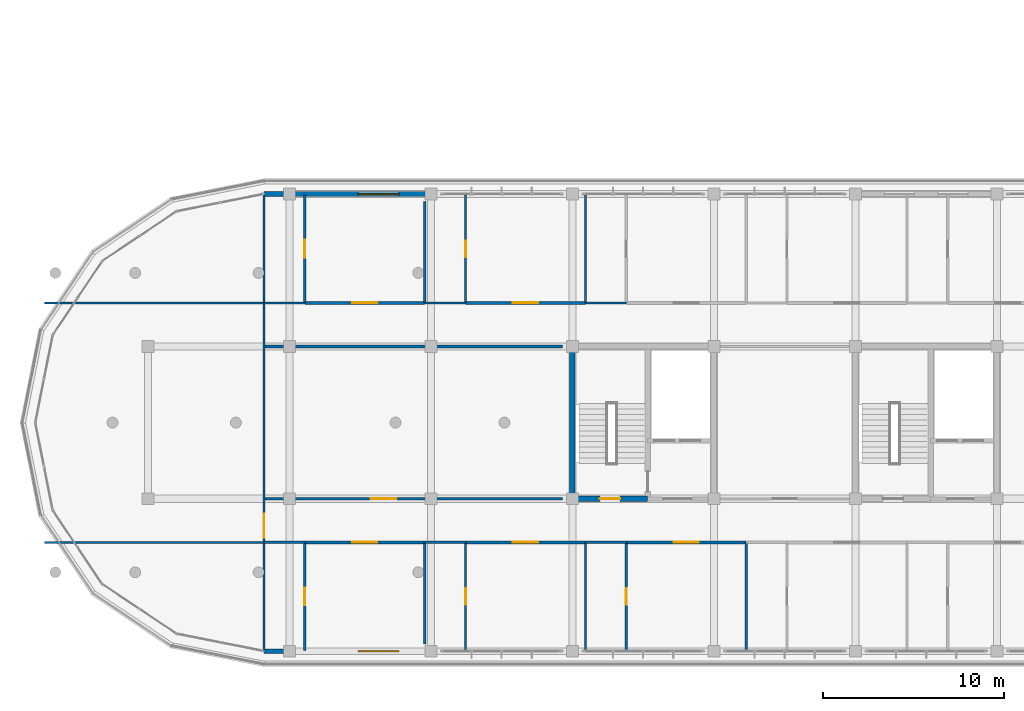
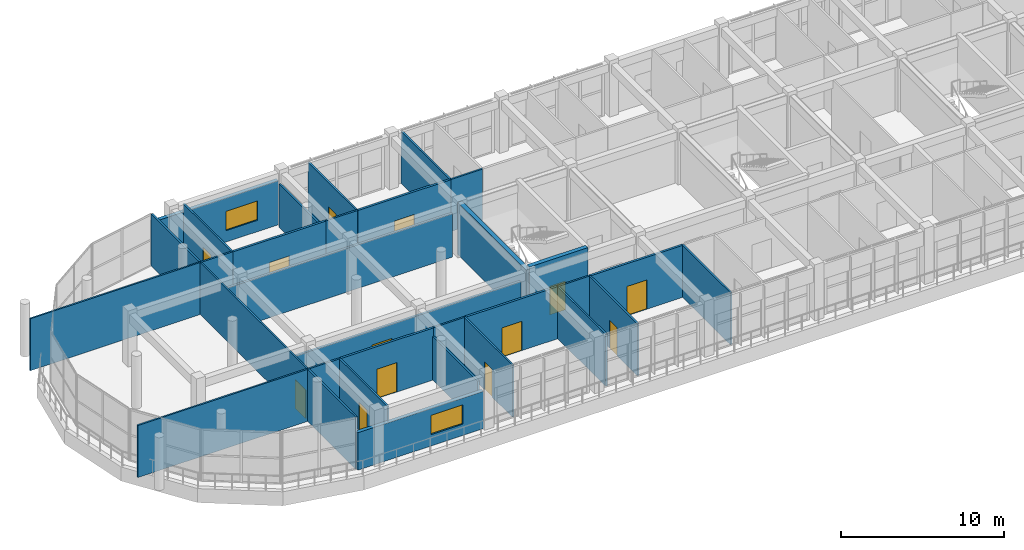
# One storey, part 47 of 57: 32 walls, 13 doors, 2 windows, 15 openings.
"""IFC4 building model written with IfcOpenShell, lengths in metres."""

from ifc_helpers import new_model, si_unit, direction, frame, frame_2d, origin, place, context, subcontext, project, spatial, rectangle, extrude, material, layer, layer_set, type_object, element, fill, save


model = new_model("IFC4")

# Units and contexts
model_context = context("Model", 3, precision=1e-05, world=origin(), true_north=direction((0.0, 1.0)))
body_context = subcontext(model_context, "Body", "Model", "MODEL_VIEW")
ifc_project = project(units=[si_unit("LENGTHUNIT", "METRE"), si_unit("AREAUNIT", "SQUARE_METRE"), si_unit("VOLUMEUNIT", "CUBIC_METRE"), si_unit("PLANEANGLEUNIT", "RADIAN"), si_unit("MASSUNIT", "GRAM", prefix="KILO")], contexts=[model_context])

# Site, building, storey
site_placement = place(None, origin())
site = spatial("IfcSite", under=ifc_project, at=site_placement, CompositionType="ELEMENT")
building_placement = place(site_placement, origin())
building = spatial("IfcBuilding", under=site, at=building_placement, Name="Zizhar Promenade General Hospital", CompositionType="ELEMENT")
storey_placement = place(building_placement, frame((0.0, 0.0, 22.199951171875)))
storey = spatial("IfcBuildingStorey", under=building, at=storey_placement, Name="L05", CompositionType="ELEMENT", Elevation=22.199951171875)

# Wall, opening, window
ifc_material_1 = material(Name="Precast concrete C40/50", Category="concrete")
ifc_layer_1 = layer(ifc_material_1, 0.260009765625)
ifc_layer_set_1 = layer_set([ifc_layer_1], Name="Precast concrete C40/50")
wall_type_1 = type_object("IfcWallType", Name="EW-PC-260", PredefinedType="STANDARD", material=ifc_layer_set_1)
wall_1_placement = place(storey_placement, frame((29.800048828125, 25.199951171875, 0.0), z_axis=(0.0, 0.0, 1.0), x_axis=(1.0, 0.0, 0.0)))
wall_1 = element("IfcWall", 1, at=wall_1_placement, inside=storey, type_object=wall_type_1, Name="Ward Precast Ribbon Pier L05-8-0", PredefinedType="STANDARD", context=body_context, shape_type="SweptSolid", body=[
    extrude(rectangle(XDim=8.909912109375, YDim=0.260009765625, at=frame_2d((4.455078125, 0.0))), origin(), (0.0, 0.0, 1.0), 3.304931640625),
])
opening_1_placement = place(wall_1_placement, frame((5.18994140625, 0.0, 0.85009765625)))
opening_1 = element("IfcOpeningElement", 2, at=opening_1_placement, cuts=wall_1, Name="Opening W-28", PredefinedType="OPENING", context=body_context, shape_type="SweptSolid", body=[
    extrude(rectangle(XDim=2.25, YDim=1.449951171875, at=frame_2d((1.125, 0.72509765625))), frame((0.0, 0.14013671875, 0.0), z_axis=(0.0, -1.0, 0.0), x_axis=(1.0, 0.0, 0.0)), (0.0, 0.0, 1.0), 0.280029296875),
])
ifc_material_2 = material(Name="Anodised aluminium 6063-T6 and low-E glass", Category="aluminium")
window_type = type_object("IfcWindowType", Name="WIN-WARD-225x145", PartitioningType="DOUBLE_PANEL_VERTICAL", PredefinedType="WINDOW", material=ifc_material_2)
window_1_placement = place(opening_1_placement, origin())
window_1 = element("IfcWindow", 3, at=window_1_placement, inside=storey, type_object=window_type, Name="Ward Precast Ribbon Pier L05-8-0 Window 2", OverallHeight=1.449951171875, OverallWidth=2.25, PartitioningType="SINGLE_PANEL", PredefinedType="WINDOW", context=body_context, shape_type="SweptSolid", body=[
    extrude(rectangle(XDim=2.25, YDim=1.449951171875, at=frame_2d((1.125, 0.72509765625))), frame((0.0, 0.030029296875, 0.0), z_axis=(0.0, -1.0, 0.0), x_axis=(1.0, 0.0, 0.0)), (0.0, 0.0, 1.0), 0.06005859375),
])
fill(opening_1, window_1)

wall_2_placement = place(storey_placement, frame((38.7099609375, 0.0, 0.0), z_axis=(0.0, 0.0, 1.0), x_axis=(-1.0, 0.0, 0.0)))
wall_2 = element("IfcWall", 4, at=wall_2_placement, inside=storey, type_object=wall_type_1, Name="Ward Precast Ribbon Pier L05-17-10", PredefinedType="STANDARD", context=body_context, shape_type="SweptSolid", body=[
    extrude(rectangle(XDim=8.909912109375, YDim=0.260009765625, at=frame_2d((4.455078125, 0.0))), origin(), (0.0, 0.0, 1.0), 2.804931640625),
])
opening_2_placement = place(wall_2_placement, frame((1.469970703125, 0.0, 0.85009765625)))
opening_2 = element("IfcOpeningElement", 5, at=opening_2_placement, cuts=wall_2, Name="Opening W-28", PredefinedType="OPENING", context=body_context, shape_type="SweptSolid", body=[
    extrude(rectangle(XDim=2.25, YDim=1.449951171875, at=frame_2d((1.125, 0.72509765625))), frame((0.0, 0.14013671875, 0.0), z_axis=(0.0, -1.0, 0.0), x_axis=(1.0, 0.0, 0.0)), (0.0, 0.0, 1.0), 0.280029296875),
])
window_2_placement = place(opening_2_placement, origin())
window_2 = element("IfcWindow", 6, at=window_2_placement, inside=storey, type_object=window_type, Name="Ward Precast Ribbon Pier L05-17-10 Window 1", OverallHeight=1.449951171875, OverallWidth=2.25, PartitioningType="SINGLE_PANEL", PredefinedType="WINDOW", context=body_context, shape_type="SweptSolid", body=[
    extrude(rectangle(XDim=2.25, YDim=1.449951171875, at=frame_2d((1.125, 0.72509765625))), frame((0.0, 0.030029296875, 0.0), z_axis=(0.0, -1.0, 0.0), x_axis=(1.0, 0.0, 0.0)), (0.0, 0.0, 1.0), 0.06005859375),
])
fill(opening_2, window_2)

# Walls
ifc_material_3 = material(Name="Clean utility gypsum partition")
ifc_layer_2 = layer(ifc_material_3, 0.114990234375)
ifc_layer_set_2 = layer_set([ifc_layer_2], Name="Clean utility gypsum partition")
wall_type_2 = type_object("IfcWallType", Name="IW-STR-115", PredefinedType="PARTITIONING", material=ifc_layer_set_2)
for number, where, z_axis, x_axis, name in (
    (7, (17.699951171875, 6.0, 0.0), (0.0, 0.0, 1.0), (1.0, 0.0, 0.0), "West Patient Recovery Solarium L05 S Partition"),
    (8, (17.699951171875, 19.199951171875, 0.0), (0.0, 0.0, 1.0), (1.0, 0.0, 0.0), "West Patient Recovery Solarium L05 N Partition"),
):
    element("IfcWall", number, at=place(storey_placement, frame(where, z_axis=z_axis, x_axis=x_axis)), inside=storey, type_object=wall_type_2, Name=name, PredefinedType="PARTITIONING", context=body_context, shape_type="SweptSolid", body=[
        extrude(rectangle(XDim=12.10009765625, YDim=0.114990234375, at=frame_2d((6.050048828125, 0.0))), origin(), (0.0, 0.0, 1.0), 3.900146484375),
    ])

# Wall, opening, door
wall_3_placement = place(storey_placement, frame((29.800048828125, 6.0, 0.0), z_axis=(0.0, 0.0, 1.0), x_axis=(0.0, 1.0, 0.0)))
wall_3 = element("IfcWall", 9, at=wall_3_placement, inside=storey, type_object=wall_type_2, Name="West Patient Recovery Solarium L05 E Partition", PredefinedType="PARTITIONING", context=body_context, shape_type="SweptSolid", body=[
    extrude(rectangle(XDim=13.199951171875, YDim=0.114990234375, at=frame_2d((6.60009765625, 0.0))), origin(), (0.0, 0.0, 1.0), 3.900146484375),
])
opening_3_placement = place(wall_3_placement, frame((0.25, 0.0, 0.0)))
opening_3 = element("IfcOpeningElement", 10, at=opening_3_placement, cuts=wall_3, Name="Opening D-26", PredefinedType="OPENING", context=body_context, shape_type="SweptSolid", body=[
    extrude(rectangle(XDim=1.320068359375, YDim=2.14990234375, at=frame_2d((0.66015625, 1.074951171875))), frame((0.0, 0.0673828125, 0.0), z_axis=(0.0, -1.0, 0.0), x_axis=(1.0, 0.0, 0.0)), (0.0, 0.0, 1.0), 0.135009765625),
])
ifc_material_4 = material(Name="Fire-rated timber store leaf", Category="wood")
door_type_1 = type_object("IfcDoorType", Name="DR-STORE-132x215", OperationType="NOTDEFINED", PredefinedType="DOOR", material=ifc_material_4)
door_1_placement = place(opening_3_placement, origin())
door_1 = element("IfcDoor", 11, at=door_1_placement, inside=storey, type_object=door_type_1, Name="West Patient Recovery Solarium L05 Door", OperationType="SINGLE_SWING_RIGHT", OverallHeight=2.14990234375, OverallWidth=1.320068359375, PredefinedType="DOOR", context=body_context, shape_type="SweptSolid", body=[
    extrude(rectangle(XDim=1.320068359375, YDim=2.14990234375, at=frame_2d((0.66015625, 1.074951171875))), frame((0.0, 0.02490234375, 0.0), z_axis=(0.0, -1.0, 0.0), x_axis=(1.0, 0.0, 0.0)), (0.0, 0.0, 1.0), 0.050048828125),
])
fill(opening_3, door_1)

ifc_material_5 = material(Name="Acoustic patient bedroom partition")
ifc_layer_3 = layer(ifc_material_5, 0.155029296875)
ifc_layer_set_3 = layer_set([ifc_layer_3], Name="Acoustic patient bedroom partition")
wall_type_3 = type_object("IfcWallType", Name="IW-WARD-155", PredefinedType="PARTITIONING", material=ifc_layer_set_3)
wall_4_placement = place(storey_placement, frame((32.06005859375, 6.0, 0.0), z_axis=(0.0, 0.0, 1.0), x_axis=(1.0, 0.0, 0.0)))
wall_4 = element("IfcWall", 12, at=wall_4_placement, inside=storey, type_object=wall_type_3, Name="Cardiology Inpatient Ward L05-S01 N Partition", PredefinedType="PARTITIONING", context=body_context, shape_type="SweptSolid", body=[
    extrude(rectangle(XDim=6.58984375, YDim=0.155029296875, at=frame_2d((3.294921875, 0.0))), origin(), (0.0, 0.0, 1.0), 3.900146484375),
])
opening_4_placement = place(wall_4_placement, frame((2.594970703125, 0.0, 0.0)))
opening_4 = element("IfcOpeningElement", 13, at=opening_4_placement, cuts=wall_4, Name="Opening D-06", PredefinedType="OPENING", context=body_context, shape_type="SweptSolid", body=[
    extrude(rectangle(XDim=1.39990234375, YDim=2.199951171875, at=frame_2d((0.699951171875, 1.10009765625))), frame((0.0, 0.08740234375, 0.0), z_axis=(0.0, -1.0, 0.0), x_axis=(1.0, 0.0, 0.0)), (0.0, 0.0, 1.0), 0.175048828125),
])
ifc_material_6 = material(Name="Fire-rated timber hospital bed leaf", Category="wood")
door_type_2 = type_object("IfcDoorType", Name="DR-BED-WARD-140x220", OperationType="NOTDEFINED", PredefinedType="DOOR", material=ifc_material_6)
door_2_placement = place(opening_4_placement, origin())
door_2 = element("IfcDoor", 14, at=door_2_placement, inside=storey, type_object=door_type_2, Name="Cardiology Inpatient Ward L05-S01 Door", OperationType="SINGLE_SWING_RIGHT", OverallHeight=2.199951171875, OverallWidth=1.39990234375, PredefinedType="DOOR", context=body_context, shape_type="SweptSolid", body=[
    extrude(rectangle(XDim=1.39990234375, YDim=2.199951171875, at=frame_2d((0.699951171875, 1.10009765625))), frame((0.0, 0.02490234375, 0.0), z_axis=(0.0, -1.0, 0.0), x_axis=(1.0, 0.0, 0.0)), (0.0, 0.0, 1.0), 0.050048828125),
])
fill(opening_4, door_2)

wall_5_placement = place(storey_placement, frame((32.06005859375, 19.199951171875, 0.0), z_axis=(0.0, 0.0, 1.0), x_axis=(1.0, 0.0, 0.0)))
wall_5 = element("IfcWall", 15, at=wall_5_placement, inside=storey, type_object=wall_type_3, Name="Cardiology Inpatient Ward L05-N01 S Partition", PredefinedType="PARTITIONING", context=body_context, shape_type="SweptSolid", body=[
    extrude(rectangle(XDim=6.58984375, YDim=0.155029296875, at=frame_2d((3.294921875, 0.0))), origin(), (0.0, 0.0, 1.0), 3.900146484375),
])
opening_5_placement = place(wall_5_placement, frame((2.594970703125, 0.0, 0.0)))
opening_5 = element("IfcOpeningElement", 16, at=opening_5_placement, cuts=wall_5, Name="Opening D-06", PredefinedType="OPENING", context=body_context, shape_type="SweptSolid", body=[
    extrude(rectangle(XDim=1.39990234375, YDim=2.199951171875, at=frame_2d((0.699951171875, 1.10009765625))), frame((0.0, 0.08740234375, 0.0), z_axis=(0.0, -1.0, 0.0), x_axis=(1.0, 0.0, 0.0)), (0.0, 0.0, 1.0), 0.175048828125),
])
door_3_placement = place(opening_5_placement, origin())
door_3 = element("IfcDoor", 17, at=door_3_placement, inside=storey, type_object=door_type_2, Name="Cardiology Inpatient Ward L05-N01 Door", OperationType="SINGLE_SWING_LEFT", OverallHeight=2.199951171875, OverallWidth=1.39990234375, PredefinedType="DOOR", context=body_context, shape_type="SweptSolid", body=[
    extrude(rectangle(XDim=1.39990234375, YDim=2.199951171875, at=frame_2d((0.699951171875, 1.10009765625))), frame((0.0, 0.02490234375, 0.0), z_axis=(0.0, -1.0, 0.0), x_axis=(1.0, 0.0, 0.0)), (0.0, 0.0, 1.0), 0.050048828125),
])
fill(opening_5, door_3)

wall_6_placement = place(storey_placement, frame((40.919921875, 6.0, 0.0), z_axis=(0.0, 0.0, 1.0), x_axis=(1.0, 0.0, 0.0)))
wall_6 = element("IfcWall", 18, at=wall_6_placement, inside=storey, type_object=wall_type_3, Name="Vascular Inpatient Ward L05-S02 N Partition", PredefinedType="PARTITIONING", context=body_context, shape_type="SweptSolid", body=[
    extrude(rectangle(XDim=6.590087890625, YDim=0.155029296875, at=frame_2d((3.294921875, 0.0))), origin(), (0.0, 0.0, 1.0), 3.900146484375),
])
opening_6_placement = place(wall_6_placement, frame((2.594970703125, 0.0, 0.0)))
opening_6 = element("IfcOpeningElement", 19, at=opening_6_placement, cuts=wall_6, Name="Opening D-06", PredefinedType="OPENING", context=body_context, shape_type="SweptSolid", body=[
    extrude(rectangle(XDim=1.39990234375, YDim=2.199951171875, at=frame_2d((0.699951171875, 1.10009765625))), frame((0.0, 0.08740234375, 0.0), z_axis=(0.0, -1.0, 0.0), x_axis=(1.0, 0.0, 0.0)), (0.0, 0.0, 1.0), 0.175048828125),
])
door_4_placement = place(opening_6_placement, origin())
door_4 = element("IfcDoor", 20, at=door_4_placement, inside=storey, type_object=door_type_2, Name="Vascular Inpatient Ward L05-S02 Door", OperationType="SINGLE_SWING_RIGHT", OverallHeight=2.199951171875, OverallWidth=1.39990234375, PredefinedType="DOOR", context=body_context, shape_type="SweptSolid", body=[
    extrude(rectangle(XDim=1.39990234375, YDim=2.199951171875, at=frame_2d((0.699951171875, 1.10009765625))), frame((0.0, 0.02490234375, 0.0), z_axis=(0.0, -1.0, 0.0), x_axis=(1.0, 0.0, 0.0)), (0.0, 0.0, 1.0), 0.050048828125),
])
fill(opening_6, door_4)

wall_7_placement = place(storey_placement, frame((40.919921875, 19.199951171875, 0.0), z_axis=(0.0, 0.0, 1.0), x_axis=(1.0, 0.0, 0.0)))
wall_7 = element("IfcWall", 21, at=wall_7_placement, inside=storey, type_object=wall_type_3, Name="Vascular Inpatient Ward L05-N02 S Partition", PredefinedType="PARTITIONING", context=body_context, shape_type="SweptSolid", body=[
    extrude(rectangle(XDim=6.590087890625, YDim=0.155029296875, at=frame_2d((3.294921875, 0.0))), origin(), (0.0, 0.0, 1.0), 3.900146484375),
])
opening_7_placement = place(wall_7_placement, frame((2.594970703125, 0.0, 0.0)))
opening_7 = element("IfcOpeningElement", 22, at=opening_7_placement, cuts=wall_7, Name="Opening D-06", PredefinedType="OPENING", context=body_context, shape_type="SweptSolid", body=[
    extrude(rectangle(XDim=1.39990234375, YDim=2.199951171875, at=frame_2d((0.699951171875, 1.10009765625))), frame((0.0, 0.08740234375, 0.0), z_axis=(0.0, -1.0, 0.0), x_axis=(1.0, 0.0, 0.0)), (0.0, 0.0, 1.0), 0.175048828125),
])
door_5_placement = place(opening_7_placement, origin())
door_5 = element("IfcDoor", 23, at=door_5_placement, inside=storey, type_object=door_type_2, Name="Vascular Inpatient Ward L05-N02 Door", OperationType="SINGLE_SWING_LEFT", OverallHeight=2.199951171875, OverallWidth=1.39990234375, PredefinedType="DOOR", context=body_context, shape_type="SweptSolid", body=[
    extrude(rectangle(XDim=1.39990234375, YDim=2.199951171875, at=frame_2d((0.699951171875, 1.10009765625))), frame((0.0, 0.02490234375, 0.0), z_axis=(0.0, -1.0, 0.0), x_axis=(1.0, 0.0, 0.0)), (0.0, 0.0, 1.0), 0.050048828125),
])
fill(opening_7, door_5)

wall_8_placement = place(storey_placement, frame((49.780029296875, 6.0, 0.0), z_axis=(0.0, 0.0, 1.0), x_axis=(1.0, 0.0, 0.0)))
wall_8 = element("IfcWall", 24, at=wall_8_placement, inside=storey, type_object=wall_type_3, Name="Cardiology Inpatient Ward L05-S03 N Partition", PredefinedType="PARTITIONING", context=body_context, shape_type="SweptSolid", body=[
    extrude(rectangle(XDim=6.590087890625, YDim=0.155029296875, at=frame_2d((3.294921875, 0.0))), origin(), (0.0, 0.0, 1.0), 3.900146484375),
])
opening_8_placement = place(wall_8_placement, frame((2.594970703125, 0.0, 0.0)))
opening_8 = element("IfcOpeningElement", 25, at=opening_8_placement, cuts=wall_8, Name="Opening D-06", PredefinedType="OPENING", context=body_context, shape_type="SweptSolid", body=[
    extrude(rectangle(XDim=1.39990234375, YDim=2.199951171875, at=frame_2d((0.699951171875, 1.10009765625))), frame((0.0, 0.08740234375, 0.0), z_axis=(0.0, -1.0, 0.0), x_axis=(1.0, 0.0, 0.0)), (0.0, 0.0, 1.0), 0.175048828125),
])
door_6_placement = place(opening_8_placement, origin())
door_6 = element("IfcDoor", 26, at=door_6_placement, inside=storey, type_object=door_type_2, Name="Cardiology Inpatient Ward L05-S03 Door", OperationType="SINGLE_SWING_RIGHT", OverallHeight=2.199951171875, OverallWidth=1.39990234375, PredefinedType="DOOR", context=body_context, shape_type="SweptSolid", body=[
    extrude(rectangle(XDim=1.39990234375, YDim=2.199951171875, at=frame_2d((0.699951171875, 1.10009765625))), frame((0.0, 0.02490234375, 0.0), z_axis=(0.0, -1.0, 0.0), x_axis=(1.0, 0.0, 0.0)), (0.0, 0.0, 1.0), 0.050048828125),
])
fill(opening_8, door_6)

wall_9_placement = place(storey_placement, frame((29.81005859375, 8.39990234375, 0.0), z_axis=(0.0, 0.0, 1.0), x_axis=(1.0, 0.0, 0.0)))
wall_9 = element("IfcWall", 27, at=wall_9_placement, inside=storey, type_object=wall_type_3, Name="Ward Clinical Examination Room L05 S Partition", PredefinedType="PARTITIONING", context=body_context, shape_type="SweptSolid", body=[
    extrude(rectangle(XDim=16.429931640625, YDim=0.155029296875, at=frame_2d((8.21484375, 0.0))), origin(), (0.0, 0.0, 1.0), 3.27001953125),
])
opening_9_placement = place(wall_9_placement, frame((5.8720703125, 0.0, 0.0)))
opening_9 = element("IfcOpeningElement", 28, at=opening_9_placement, cuts=wall_9, Name="Opening D-06", PredefinedType="OPENING", context=body_context, shape_type="SweptSolid", body=[
    extrude(rectangle(XDim=1.39990234375, YDim=2.199951171875, at=frame_2d((0.699951171875, 1.10009765625))), frame((0.0, 0.08740234375, 0.0), z_axis=(0.0, -1.0, 0.0), x_axis=(1.0, 0.0, 0.0)), (0.0, 0.0, 1.0), 0.175048828125),
])
door_7_placement = place(opening_9_placement, origin())
door_7 = element("IfcDoor", 29, at=door_7_placement, inside=storey, type_object=door_type_2, Name="Ward Clinical Examination Room L05 Door", OperationType="SINGLE_SWING_RIGHT", OverallHeight=2.199951171875, OverallWidth=1.39990234375, PredefinedType="DOOR", context=body_context, shape_type="SweptSolid", body=[
    extrude(rectangle(XDim=1.39990234375, YDim=2.199951171875, at=frame_2d((0.699951171875, 1.10009765625))), frame((0.0, 0.02490234375, 0.0), z_axis=(0.0, -1.0, 0.0), x_axis=(1.0, 0.0, 0.0)), (0.0, 0.0, 1.0), 0.050048828125),
])
fill(opening_9, door_7)

# Walls
wall_10_placement = place(storey_placement, frame((29.81005859375, 16.800048828125, 0.0), z_axis=(0.0, 0.0, 1.0), x_axis=(1.0, 0.0, 0.0)))
element("IfcWall", 30, at=wall_10_placement, inside=storey, type_object=wall_type_3, Name="Ward Clinical Examination Room L05 N Partition", PredefinedType="PARTITIONING", context=body_context, shape_type="SweptSolid", body=[
    extrude(rectangle(XDim=16.429931640625, YDim=0.155029296875, at=frame_2d((8.21484375, 0.0))), origin(), (0.0, 0.0, 1.0), 3.27001953125),
])
ifc_material_7 = material(Name="Moisture-resistant en-suite wet partition")
ifc_layer_4 = layer(ifc_material_7, 0.125)
ifc_layer_set_4 = layer_set([ifc_layer_4], Name="Moisture-resistant en-suite wet partition")
wall_type_4 = type_object("IfcWallType", Name="IW-WET-125", PredefinedType="PARTITIONING", material=ifc_layer_set_4)
wall_11_placement = place(storey_placement, frame((29.800048828125, 6.0, 0.0), z_axis=(0.0, 0.0, 1.0), x_axis=(1.0, 0.0, 0.0)))
element("IfcWall", 31, at=wall_11_placement, inside=storey, type_object=wall_type_4, Name="En-Suite Patient Bathroom L05-S01 N Partition", PredefinedType="PARTITIONING", context=body_context, shape_type="SweptSolid", body=[
    extrude(rectangle(XDim=2.25, YDim=0.125, at=frame_2d((1.125, 0.0))), origin(), (0.0, 0.0, 1.0), 3.900146484375),
])
wall_12_placement = place(storey_placement, frame((29.800048828125, 0.044921875, 0.0), z_axis=(0.0, 0.0, 1.0), x_axis=(0.0, 1.0, 0.0)))
element("IfcWall", 32, at=wall_12_placement, inside=storey, type_object=wall_type_4, Name="En-Suite Patient Bathroom L05-S01 W Partition", PredefinedType="PARTITIONING", context=body_context, shape_type="SweptSolid", body=[
    extrude(rectangle(XDim=5.955078125, YDim=0.125, at=frame_2d((2.9775390625, 0.0))), origin(), (0.0, 0.0, 1.0), 3.900146484375),
])

# Wall, opening, door
wall_13_placement = place(storey_placement, frame((32.050048828125, 0.044921875, 0.0), z_axis=(0.0, 0.0, 1.0), x_axis=(0.0, 1.0, 0.0)))
wall_13 = element("IfcWall", 33, at=wall_13_placement, inside=storey, type_object=wall_type_4, Name="En-Suite Patient Bathroom L05-S01 E Partition", PredefinedType="PARTITIONING", context=body_context, shape_type="SweptSolid", body=[
    extrude(rectangle(XDim=5.955078125, YDim=0.125, at=frame_2d((2.9775390625, 0.0))), origin(), (0.0, 0.0, 1.0), 3.900146484375),
])
opening_10_placement = place(wall_13_placement, frame((2.487548828125, 0.0, 0.0)))
opening_10 = element("IfcOpeningElement", 34, at=opening_10_placement, cuts=wall_13, Name="Opening D-17", PredefinedType="OPENING", context=body_context, shape_type="SweptSolid", body=[
    extrude(rectangle(XDim=0.97998046875, YDim=2.10009765625, at=frame_2d((0.489990234375, 1.050048828125))), frame((0.0, 0.072509765625, 0.0), z_axis=(0.0, -1.0, 0.0), x_axis=(1.0, 0.0, 0.0)), (0.0, 0.0, 1.0), 0.14501953125),
])
ifc_material_8 = material(Name="Moisture-resistant timber PMR leaf", Category="wood")
door_type_3 = type_object("IfcDoorType", Name="DR-ENS-PMR-098x210", OperationType="NOTDEFINED", PredefinedType="DOOR", material=ifc_material_8)
door_8_placement = place(opening_10_placement, origin())
door_8 = element("IfcDoor", 35, at=door_8_placement, inside=storey, type_object=door_type_3, Name="En-Suite Patient Bathroom L05-S01 Door", OperationType="SINGLE_SWING_RIGHT", OverallHeight=2.10009765625, OverallWidth=0.97998046875, PredefinedType="DOOR", context=body_context, shape_type="SweptSolid", body=[
    extrude(rectangle(XDim=0.97998046875, YDim=2.10009765625, at=frame_2d((0.489990234375, 1.050048828125))), frame((0.0, 0.02490234375, 0.0), z_axis=(0.0, -1.0, 0.0), x_axis=(1.0, 0.0, 0.0)), (0.0, 0.0, 1.0), 0.050048828125),
])
fill(opening_10, door_8)

# Walls
wall_14_placement = place(storey_placement, frame((29.800048828125, 19.199951171875, 0.0), z_axis=(0.0, 0.0, 1.0), x_axis=(1.0, 0.0, 0.0)))
element("IfcWall", 36, at=wall_14_placement, inside=storey, type_object=wall_type_4, Name="En-Suite Patient Bathroom L05-N01 S Partition", PredefinedType="PARTITIONING", context=body_context, shape_type="SweptSolid", body=[
    extrude(rectangle(XDim=2.25, YDim=0.125, at=frame_2d((1.125, 0.0))), origin(), (0.0, 0.0, 1.0), 3.900146484375),
])
wall_15_placement = place(storey_placement, frame((29.800048828125, 19.199951171875, 0.0), z_axis=(0.0, 0.0, 1.0), x_axis=(0.0, 1.0, 0.0)))
element("IfcWall", 37, at=wall_15_placement, inside=storey, type_object=wall_type_4, Name="En-Suite Patient Bathroom L05-N01 W Partition", PredefinedType="PARTITIONING", context=body_context, shape_type="SweptSolid", body=[
    extrude(rectangle(XDim=5.955078125, YDim=0.125, at=frame_2d((2.9775390625, 0.0))), origin(), (0.0, 0.0, 1.0), 3.900146484375),
])

# Wall, opening, door
wall_16_placement = place(storey_placement, frame((32.050048828125, 19.199951171875, 0.0), z_axis=(0.0, 0.0, 1.0), x_axis=(0.0, 1.0, 0.0)))
wall_16 = element("IfcWall", 38, at=wall_16_placement, inside=storey, type_object=wall_type_4, Name="En-Suite Patient Bathroom L05-N01 E Partition", PredefinedType="PARTITIONING", context=body_context, shape_type="SweptSolid", body=[
    extrude(rectangle(XDim=5.955078125, YDim=0.125, at=frame_2d((2.9775390625, 0.0))), origin(), (0.0, 0.0, 1.0), 3.900146484375),
])
opening_11_placement = place(wall_16_placement, frame((2.487548828125, 0.0, 0.0)))
opening_11 = element("IfcOpeningElement", 39, at=opening_11_placement, cuts=wall_16, Name="Opening D-17", PredefinedType="OPENING", context=body_context, shape_type="SweptSolid", body=[
    extrude(rectangle(XDim=0.97998046875, YDim=2.10009765625, at=frame_2d((0.489990234375, 1.050048828125))), frame((0.0, 0.072509765625, 0.0), z_axis=(0.0, -1.0, 0.0), x_axis=(1.0, 0.0, 0.0)), (0.0, 0.0, 1.0), 0.14501953125),
])
door_9_placement = place(opening_11_placement, origin())
door_9 = element("IfcDoor", 40, at=door_9_placement, inside=storey, type_object=door_type_3, Name="En-Suite Patient Bathroom L05-N01 Door", OperationType="SINGLE_SWING_LEFT", OverallHeight=2.10009765625, OverallWidth=0.97998046875, PredefinedType="DOOR", context=body_context, shape_type="SweptSolid", body=[
    extrude(rectangle(XDim=0.97998046875, YDim=2.10009765625, at=frame_2d((0.489990234375, 1.050048828125))), frame((0.0, 0.02490234375, 0.0), z_axis=(0.0, -1.0, 0.0), x_axis=(1.0, 0.0, 0.0)), (0.0, 0.0, 1.0), 0.050048828125),
])
fill(opening_11, door_9)

# Walls
wall_17_placement = place(storey_placement, frame((38.659912109375, 6.0, 0.0), z_axis=(0.0, 0.0, 1.0), x_axis=(1.0, 0.0, 0.0)))
element("IfcWall", 41, at=wall_17_placement, inside=storey, type_object=wall_type_4, Name="En-Suite Patient Bathroom L05-S02 N Partition", PredefinedType="PARTITIONING", context=body_context, shape_type="SweptSolid", body=[
    extrude(rectangle(XDim=2.25, YDim=0.125, at=frame_2d((1.125, 0.0))), origin(), (0.0, 0.0, 1.0), 3.900146484375),
])
wall_18_placement = place(storey_placement, frame((38.659912109375, 0.405029296875, 0.0), z_axis=(0.0, 0.0, 1.0), x_axis=(0.0, 1.0, 0.0)))
element("IfcWall", 42, at=wall_18_placement, inside=storey, type_object=wall_type_4, Name="En-Suite Patient Bathroom L05-S02 W Partition", PredefinedType="PARTITIONING", context=body_context, shape_type="SweptSolid", body=[
    extrude(rectangle(XDim=5.594970703125, YDim=0.125, at=frame_2d((2.79736328125, 0.0))), origin(), (0.0, 0.0, 1.0), 3.27001953125),
])

# Wall, opening, door
wall_19_placement = place(storey_placement, frame((40.909912109375, 0.044921875, 0.0), z_axis=(0.0, 0.0, 1.0), x_axis=(0.0, 1.0, 0.0)))
wall_19 = element("IfcWall", 43, at=wall_19_placement, inside=storey, type_object=wall_type_4, Name="En-Suite Patient Bathroom L05-S02 E Partition", PredefinedType="PARTITIONING", context=body_context, shape_type="SweptSolid", body=[
    extrude(rectangle(XDim=5.955078125, YDim=0.125, at=frame_2d((2.9775390625, 0.0))), origin(), (0.0, 0.0, 1.0), 3.900146484375),
])
opening_12_placement = place(wall_19_placement, frame((2.517578125, 0.0, 0.0)))
opening_12 = element("IfcOpeningElement", 44, at=opening_12_placement, cuts=wall_19, Name="Opening D-18", PredefinedType="OPENING", context=body_context, shape_type="SweptSolid", body=[
    extrude(rectangle(XDim=0.919921875, YDim=2.10009765625, at=frame_2d((0.4599609375, 1.050048828125))), frame((0.0, 0.072509765625, 0.0), z_axis=(0.0, -1.0, 0.0), x_axis=(1.0, 0.0, 0.0)), (0.0, 0.0, 1.0), 0.14501953125),
])
ifc_material_9 = material(Name="Moisture-resistant timber en-suite leaf", Category="wood")
door_type_4 = type_object("IfcDoorType", Name="DR-ENS-STD-092x210", OperationType="NOTDEFINED", PredefinedType="DOOR", material=ifc_material_9)
door_10_placement = place(opening_12_placement, origin())
door_10 = element("IfcDoor", 45, at=door_10_placement, inside=storey, type_object=door_type_4, Name="En-Suite Patient Bathroom L05-S02 Door", OperationType="SINGLE_SWING_RIGHT", OverallHeight=2.10009765625, OverallWidth=0.919921875, PredefinedType="DOOR", context=body_context, shape_type="SweptSolid", body=[
    extrude(rectangle(XDim=0.919921875, YDim=2.10009765625, at=frame_2d((0.4599609375, 1.050048828125))), frame((0.0, 0.02490234375, 0.0), z_axis=(0.0, -1.0, 0.0), x_axis=(1.0, 0.0, 0.0)), (0.0, 0.0, 1.0), 0.050048828125),
])
fill(opening_12, door_10)

# Walls
wall_20_placement = place(storey_placement, frame((38.659912109375, 19.199951171875, 0.0), z_axis=(0.0, 0.0, 1.0), x_axis=(1.0, 0.0, 0.0)))
element("IfcWall", 46, at=wall_20_placement, inside=storey, type_object=wall_type_4, Name="En-Suite Patient Bathroom L05-N02 S Partition", PredefinedType="PARTITIONING", context=body_context, shape_type="SweptSolid", body=[
    extrude(rectangle(XDim=2.25, YDim=0.125, at=frame_2d((1.125, 0.0))), origin(), (0.0, 0.0, 1.0), 3.900146484375),
])
wall_21_placement = place(storey_placement, frame((38.659912109375, 19.199951171875, 0.0), z_axis=(0.0, 0.0, 1.0), x_axis=(0.0, 1.0, 0.0)))
element("IfcWall", 47, at=wall_21_placement, inside=storey, type_object=wall_type_4, Name="En-Suite Patient Bathroom L05-N02 W Partition", PredefinedType="PARTITIONING", context=body_context, shape_type="SweptSolid", body=[
    extrude(rectangle(XDim=5.594970703125, YDim=0.125, at=frame_2d((2.79736328125, 0.0))), origin(), (0.0, 0.0, 1.0), 3.27001953125),
])

# Wall, opening, door
wall_22_placement = place(storey_placement, frame((40.909912109375, 19.199951171875, 0.0), z_axis=(0.0, 0.0, 1.0), x_axis=(0.0, 1.0, 0.0)))
wall_22 = element("IfcWall", 48, at=wall_22_placement, inside=storey, type_object=wall_type_4, Name="En-Suite Patient Bathroom L05-N02 E Partition", PredefinedType="PARTITIONING", context=body_context, shape_type="SweptSolid", body=[
    extrude(rectangle(XDim=5.955078125, YDim=0.125, at=frame_2d((2.9775390625, 0.0))), origin(), (0.0, 0.0, 1.0), 3.900146484375),
])
opening_13_placement = place(wall_22_placement, frame((2.517578125, 0.0, 0.0)))
opening_13 = element("IfcOpeningElement", 49, at=opening_13_placement, cuts=wall_22, Name="Opening D-18", PredefinedType="OPENING", context=body_context, shape_type="SweptSolid", body=[
    extrude(rectangle(XDim=0.919921875, YDim=2.10009765625, at=frame_2d((0.4599609375, 1.050048828125))), frame((0.0, 0.072509765625, 0.0), z_axis=(0.0, -1.0, 0.0), x_axis=(1.0, 0.0, 0.0)), (0.0, 0.0, 1.0), 0.14501953125),
])
door_11_placement = place(opening_13_placement, origin())
door_11 = element("IfcDoor", 50, at=door_11_placement, inside=storey, type_object=door_type_4, Name="En-Suite Patient Bathroom L05-N02 Door", OperationType="SINGLE_SWING_LEFT", OverallHeight=2.10009765625, OverallWidth=0.919921875, PredefinedType="DOOR", context=body_context, shape_type="SweptSolid", body=[
    extrude(rectangle(XDim=0.919921875, YDim=2.10009765625, at=frame_2d((0.4599609375, 1.050048828125))), frame((0.0, 0.02490234375, 0.0), z_axis=(0.0, -1.0, 0.0), x_axis=(1.0, 0.0, 0.0)), (0.0, 0.0, 1.0), 0.050048828125),
])
fill(opening_13, door_11)

# Walls
wall_23_placement = place(storey_placement, frame((47.52001953125, 6.0, 0.0), z_axis=(0.0, 0.0, 1.0), x_axis=(1.0, 0.0, 0.0)))
element("IfcWall", 51, at=wall_23_placement, inside=storey, type_object=wall_type_4, Name="En-Suite Patient Bathroom L05-S03 N Partition", PredefinedType="PARTITIONING", context=body_context, shape_type="SweptSolid", body=[
    extrude(rectangle(XDim=2.25, YDim=0.125, at=frame_2d((1.125, 0.0))), origin(), (0.0, 0.0, 1.0), 3.900146484375),
])
wall_24_placement = place(storey_placement, frame((47.52001953125, 0.044921875, 0.0), z_axis=(0.0, 0.0, 1.0), x_axis=(0.0, 1.0, 0.0)))
element("IfcWall", 52, at=wall_24_placement, inside=storey, type_object=wall_type_4, Name="En-Suite Patient Bathroom L05-S03 W Partition", PredefinedType="PARTITIONING", context=body_context, shape_type="SweptSolid", body=[
    extrude(rectangle(XDim=5.955078125, YDim=0.125, at=frame_2d((2.9775390625, 0.0))), origin(), (0.0, 0.0, 1.0), 3.900146484375),
])

# Wall, opening, door
wall_25_placement = place(storey_placement, frame((49.77001953125, 0.044921875, 0.0), z_axis=(0.0, 0.0, 1.0), x_axis=(0.0, 1.0, 0.0)))
wall_25 = element("IfcWall", 53, at=wall_25_placement, inside=storey, type_object=wall_type_4, Name="En-Suite Patient Bathroom L05-S03 E Partition", PredefinedType="PARTITIONING", context=body_context, shape_type="SweptSolid", body=[
    extrude(rectangle(XDim=5.955078125, YDim=0.125, at=frame_2d((2.9775390625, 0.0))), origin(), (0.0, 0.0, 1.0), 3.900146484375),
])
opening_14_placement = place(wall_25_placement, frame((2.517578125, 0.0, 0.0)))
opening_14 = element("IfcOpeningElement", 54, at=opening_14_placement, cuts=wall_25, Name="Opening D-18", PredefinedType="OPENING", context=body_context, shape_type="SweptSolid", body=[
    extrude(rectangle(XDim=0.919921875, YDim=2.10009765625, at=frame_2d((0.4599609375, 1.050048828125))), frame((0.0, 0.072509765625, 0.0), z_axis=(0.0, -1.0, 0.0), x_axis=(1.0, 0.0, 0.0)), (0.0, 0.0, 1.0), 0.14501953125),
])
door_12_placement = place(opening_14_placement, origin())
door_12 = element("IfcDoor", 55, at=door_12_placement, inside=storey, type_object=door_type_4, Name="En-Suite Patient Bathroom L05-S03 Door", OperationType="SINGLE_SWING_RIGHT", OverallHeight=2.10009765625, OverallWidth=0.919921875, PredefinedType="DOOR", context=body_context, shape_type="SweptSolid", body=[
    extrude(rectangle(XDim=0.919921875, YDim=2.10009765625, at=frame_2d((0.4599609375, 1.050048828125))), frame((0.0, 0.02490234375, 0.0), z_axis=(0.0, -1.0, 0.0), x_axis=(1.0, 0.0, 0.0)), (0.0, 0.0, 1.0), 0.050048828125),
])
fill(opening_14, door_12)

# Walls
wall_26_placement = place(storey_placement, frame((47.52001953125, 19.199951171875, 0.0), z_axis=(0.0, 0.0, 1.0), x_axis=(1.0, 0.0, 0.0)))
element("IfcWall", 56, at=wall_26_placement, inside=storey, type_object=wall_type_4, Name="En-Suite Patient Bathroom L05-N03 S Partition", PredefinedType="PARTITIONING", context=body_context, shape_type="SweptSolid", body=[
    extrude(rectangle(XDim=2.25, YDim=0.125, at=frame_2d((1.125, 0.0))), origin(), (0.0, 0.0, 1.0), 3.900146484375),
])
for number, where, z_axis, x_axis, name in (
    (57, (47.52001953125, 19.199951171875, 0.0), (0.0, 0.0, 1.0), (0.0, 1.0, 0.0), "En-Suite Patient Bathroom L05-N03 W Partition"),
    (58, (56.3798828125, 0.044921875, 0.0), (0.0, 0.0, 1.0), (0.0, 1.0, 0.0), "En-Suite Patient Bathroom L05-S04 W Partition"),
):
    element("IfcWall", number, at=place(storey_placement, frame(where, z_axis=z_axis, x_axis=x_axis)), inside=storey, type_object=wall_type_4, Name=name, PredefinedType="PARTITIONING", context=body_context, shape_type="SweptSolid", body=[
        extrude(rectangle(XDim=5.955078125, YDim=0.125, at=frame_2d((2.9775390625, 0.0))), origin(), (0.0, 0.0, 1.0), 3.900146484375),
    ])
ifc_material_10 = material(Name="Concrete C40/50", Category="concrete")
ifc_layer_5 = layer(ifc_material_10, 0.300048828125)
ifc_layer_set_5 = layer_set([ifc_layer_5], Name="Concrete C40/50")
wall_type_5 = type_object("IfcWallType", Name="WL-CORE-300", PredefinedType="SHEAR", material=ifc_layer_set_5)
wall_27_placement = place(storey_placement, frame((46.800048828125, 8.39990234375, 0.0), z_axis=(0.0, 0.0, 1.0), x_axis=(0.0, 1.0, 0.0)))
element("IfcWall", 59, at=wall_27_placement, inside=storey, type_object=wall_type_5, Name="Core C2 West Shear Wall L05", PredefinedType="SHEAR", context=body_context, shape_type="SweptSolid", body=[
    extrude(rectangle(XDim=8.400146484375, YDim=0.300048828125, at=frame_2d((4.2001953125, 0.0))), origin(), (0.0, 0.0, 1.0), 3.920166015625),
])

# Wall, opening, door
wall_28_placement = place(storey_placement, frame((46.800048828125, 8.39990234375, 0.0), z_axis=(0.0, 0.0, 1.0), x_axis=(1.0, 0.0, 0.0)))
wall_28 = element("IfcWall", 60, at=wall_28_placement, inside=storey, type_object=wall_type_5, Name="Core C2 Stair South Fire Wall (L05)", PredefinedType="SHEAR", context=body_context, shape_type="SweptSolid", body=[
    extrude(rectangle(XDim=4.14990234375, YDim=0.300048828125, at=frame_2d((2.074951171875, 0.0))), origin(), (0.0, 0.0, 1.0), 4.199951171875),
])
opening_15_placement = place(wall_28_placement, frame((1.514892578125, 0.0, 0.0)))
opening_15 = element("IfcOpeningElement", 61, at=opening_15_placement, cuts=wall_28, Name="Opening D-21", PredefinedType="OPENING", context=body_context, shape_type="SweptSolid", body=[
    extrude(rectangle(XDim=1.1201171875, YDim=2.14990234375, at=frame_2d((0.56005859375, 1.074951171875))), frame((0.0, 0.16015625, 0.0), z_axis=(0.0, -1.0, 0.0), x_axis=(1.0, 0.0, 0.0)), (0.0, 0.0, 1.0), 0.320068359375),
])
ifc_material_11 = material(Name="Steel S355 protected stair door", Category="steel")
door_type_5 = type_object("IfcDoorType", Name="DR-STAIR-112x215", OperationType="NOTDEFINED", PredefinedType="DOOR", material=ifc_material_11)
door_13_placement = place(opening_15_placement, origin())
door_13 = element("IfcDoor", 62, at=door_13_placement, inside=storey, type_object=door_type_5, Name="Exit Stair ST-02 Door (L05)", OperationType="SINGLE_SWING_LEFT", OverallHeight=2.14990234375, OverallWidth=1.1201171875, PredefinedType="DOOR", context=body_context, shape_type="SweptSolid", body=[
    extrude(rectangle(XDim=1.1201171875, YDim=2.14990234375, at=frame_2d((0.56005859375, 1.074951171875))), frame((0.0, 0.02490234375, 0.0), z_axis=(0.0, -1.0, 0.0), x_axis=(1.0, 0.0, 0.0)), (0.0, 0.0, 1.0), 0.050048828125),
])
fill(opening_15, door_13)

save(model, "model.ifc")
